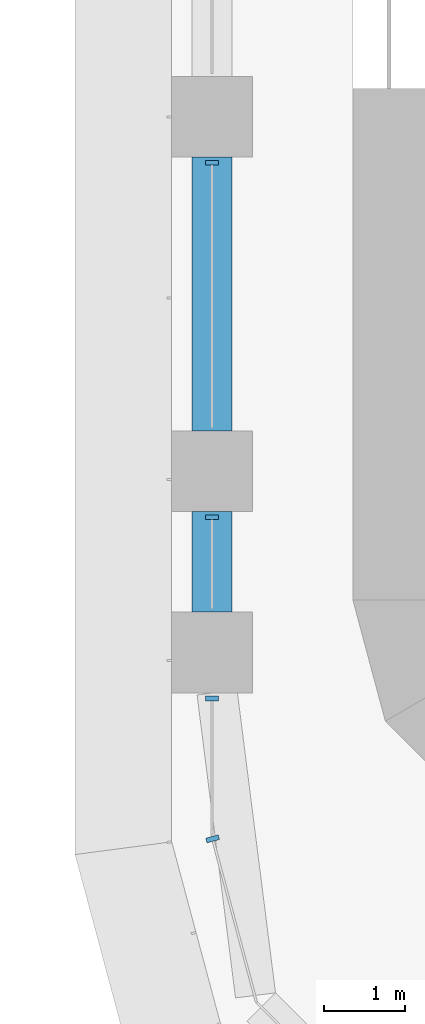
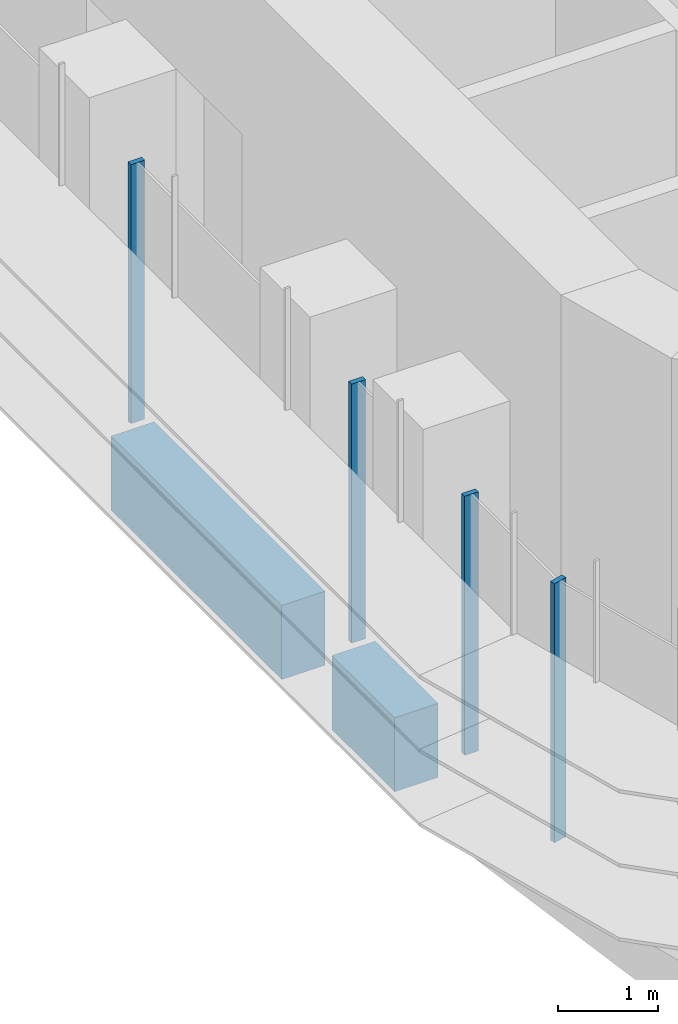
# One storey, part 2 of 23: 4 members, 2 beams, 2 elements without a shape of their own.
"""IFC4 building model written with IfcOpenShell, lengths in metres."""

import ifcopenshell
import ifcopenshell.guid

model = None  # the IFC model being written
_history = None  # IfcOwnerHistory: only IFC2X3 demands one
_inside = {}  # id of a spatial element -> (the spatial element, [elements in it])
_under = {}  # id of a project, library or spatial element -> (it, [spatial elements below it])
_declared = {}  # id of a project -> (the project, [libraries it declares])
_typed = {}  # id of a type object -> (the type object, [elements of that type])
_made_of = {}  # id of a material, layer set ... -> (it, [elements and type objects made of it])


def new_model(schema):
    """Start an empty IFC model of exactly this schema.

    Asked for "IFC4X3", IfcOpenShell would pick the latest addendum, in which some entities
    have other attributes; the version numbers below select the first issue.
    IFC2X3 requires an IfcOwnerHistory on every rooted entity: one is made here for all.
    """
    global model, _history
    if schema == "IFC4X3":
        model = ifcopenshell.file(schema_version=(4, 3, 0, 0))
    else:
        model = ifcopenshell.file(schema=schema)
    _inside.clear()
    _under.clear()
    _declared.clear()
    _typed.clear()
    _made_of.clear()
    _history = None
    if model.schema == "IFC2X3":
        org = make("IfcOrganization", Name="unknown")
        user = make(
            "IfcPersonAndOrganization",
            ThePerson=make("IfcPerson", FamilyName="unknown"),
            TheOrganization=org,
        )
        app = make(
            "IfcApplication",
            ApplicationDeveloper=org,
            Version="unknown",
            ApplicationFullName="unknown",
            ApplicationIdentifier="unknown",
        )
        _history = make(
            "IfcOwnerHistory",
            OwningUser=user,
            OwningApplication=app,
            ChangeAction="ADDED",
            CreationDate=0,
        )
    return model


def make(cls, **values):
    """One entity of the class cls with the attributes given. An attribute that is None is left unset."""
    return model.create_entity(
        cls, **{name: value for name, value in values.items() if value is not None}
    )


def rooted(cls, **values):
    """An entity with a GlobalId (a new one), such as an element, a storey or a relation."""
    return make(cls, GlobalId=ifcopenshell.guid.new(), OwnerHistory=_history, **values)


def si_unit(unit_type, name, prefix=None):
    """IfcSIUnit, for example si_unit("LENGTHUNIT", "METRE", prefix="MILLI")."""
    return make("IfcSIUnit", UnitType=unit_type, Prefix=prefix, Name=name)


def assignment(units):
    """IfcUnitAssignment: the units of a project."""
    return None if units is None else make("IfcUnitAssignment", Units=units)


def point(xyz):
    """IfcCartesianPoint."""
    return None if xyz is None else make("IfcCartesianPoint", Coordinates=xyz)


def direction(xyz):
    """IfcDirection."""
    return None if xyz is None else make("IfcDirection", DirectionRatios=xyz)


def frame(location, z_axis=None, x_axis=None):
    """IfcAxis2Placement3D, a coordinate frame: its origin and axes. An axis left out is left unset."""
    return make(
        "IfcAxis2Placement3D",
        Location=point(location),
        Axis=direction(z_axis),
        RefDirection=direction(x_axis),
    )


def frame_2d(location, x_axis=None):
    """IfcAxis2Placement2D, a coordinate frame in the plane: its origin and x axis."""
    return make(
        "IfcAxis2Placement2D", Location=point(location), RefDirection=direction(x_axis)
    )


def origin():
    """The frame at (0, 0, 0) with its axes left unset."""
    return frame((0.0, 0.0, 0.0))


def origin_2d():
    """The frame at (0, 0) in the plane with its x axis left unset."""
    return frame_2d((0.0, 0.0))


def place(relative_to, where):
    """IfcLocalPlacement: puts the frame where relative to a parent placement (None: the world)."""
    return make(
        "IfcLocalPlacement", PlacementRelTo=relative_to, RelativePlacement=where
    )


def context(
    kind, dimensions, precision=None, world=None, true_north=None, identifier=None
):
    """IfcGeometricRepresentationContext, for example the 3D "Model" context."""
    return make(
        "IfcGeometricRepresentationContext",
        ContextIdentifier=identifier,
        ContextType=kind,
        CoordinateSpaceDimension=dimensions,
        Precision=precision,
        WorldCoordinateSystem=world,
        TrueNorth=true_north,
    )


def subcontext(parent, identifier, kind, view, scale=None):
    """IfcGeometricRepresentationSubContext, for example "Body" below "Model"."""
    return make(
        "IfcGeometricRepresentationSubContext",
        ContextIdentifier=identifier,
        ContextType=kind,
        ParentContext=parent,
        TargetScale=scale,
        TargetView=view,
    )


def project(units=None, contexts=None):
    """IfcProject with its units and contexts."""
    return rooted(
        "IfcProject",
        Name="project",
        RepresentationContexts=contexts,
        UnitsInContext=assignment(units),
    )


def spatial(cls, under=None, at=None, **own):
    """A site, building, storey or space (cls), placed at a placement, below another one or the project."""
    s = rooted(cls, ObjectPlacement=at, **own)
    if under is not None:
        _under.setdefault(under.id(), (under, []))[1].append(s)
    return s


def polyline(points):
    """IfcPolyline through the points."""
    return make("IfcPolyline", Points=[point(p) for p in points])


def profile(cls, at=None, kind="AREA", **sizes):
    """A parametric profile (cls). Its sizes go by their IFC names, for example OverallWidth=200.0."""
    return make(cls, ProfileType=kind, Position=at, **sizes)


def rectangle(**sizes):
    """IfcRectangleProfileDef."""
    return profile("IfcRectangleProfileDef", **sizes)


def outline(outer, holes=None, kind="AREA"):
    """IfcArbitraryClosedProfileDef: a profile drawn as a closed curve; with holes, ...WithVoids."""
    if holes is None:
        return make("IfcArbitraryClosedProfileDef", ProfileType=kind, OuterCurve=outer)
    return make(
        "IfcArbitraryProfileDefWithVoids",
        ProfileType=kind,
        OuterCurve=outer,
        InnerCurves=holes,
    )


def extrude(swept, where, along, depth):
    """IfcExtrudedAreaSolid: the profile swept, set in the frame where, extruded along a direction by depth."""
    return make(
        "IfcExtrudedAreaSolid",
        SweptArea=swept,
        Position=where,
        ExtrudedDirection=direction(along),
        Depth=depth,
    )


def shape(context_of_items, identifier, shape_type, items):
    """IfcShapeRepresentation: the items that make up one representation, for example the "Body"."""
    return make(
        "IfcShapeRepresentation",
        ContextOfItems=context_of_items,
        RepresentationIdentifier=identifier,
        RepresentationType=shape_type,
        Items=items,
    )


def source(mapping_origin, context_of_items, identifier, shape_type, items):
    """IfcRepresentationMap: a shape defined once, which mapped items show again and again."""
    return make(
        "IfcRepresentationMap",
        MappingOrigin=mapping_origin,
        MappedRepresentation=shape(context_of_items, identifier, shape_type, items),
    )


def transform(
    local_origin,
    x_axis=None,
    y_axis=None,
    z_axis=None,
    scale=None,
    scale2=None,
    scale3=None,
    uniform=True,
):
    """IfcCartesianTransformationOperator3D, or its non-uniform kind. x_axis, y_axis, z_axis: its Axis1, 2, 3."""
    if uniform:
        return make(
            "IfcCartesianTransformationOperator3D",
            Axis1=direction(x_axis),
            Axis2=direction(y_axis),
            LocalOrigin=point(local_origin),
            Scale=scale,
            Axis3=direction(z_axis),
        )
    return make(
        "IfcCartesianTransformationOperator3DnonUniform",
        Axis1=direction(x_axis),
        Axis2=direction(y_axis),
        LocalOrigin=point(local_origin),
        Scale=scale,
        Axis3=direction(z_axis),
        Scale2=scale2,
        Scale3=scale3,
    )


def mapped(mapping_source, mapping_target):
    """IfcMappedItem: shows the shape of a source again, moved by a transform."""
    return make(
        "IfcMappedItem", MappingSource=mapping_source, MappingTarget=mapping_target
    )


def material(Name=None, Category=None):
    """IfcMaterial."""
    return make("IfcMaterial", Name=Name, Category=Category)


def material_profile(
    of_material, cross_section, Name=None, Category=None, Priority=None
):
    """IfcMaterialProfile: a cross section and its material."""
    return make(
        "IfcMaterialProfile",
        Name=Name,
        Material=of_material,
        Profile=cross_section,
        Priority=Priority,
        Category=Category,
    )


def profile_set(profiles, Name=None, composite=None):
    """IfcMaterialProfileSet."""
    return make(
        "IfcMaterialProfileSet",
        Name=Name,
        MaterialProfiles=profiles,
        CompositeProfile=composite,
    )


def made_of(thing, what):
    """Note that an element or type object is made of a material, layer set ...; save() writes the relation."""
    if what is not None:
        _made_of.setdefault(what.id(), (what, []))[1].append(thing)
    return thing


def type_object(cls, material=None, **own):
    """A type object (cls), such as IfcWallType, which elements share."""
    return made_of(rooted(cls, **own), material)


def element(
    cls,
    number,
    at=None,
    inside=None,
    cuts=None,
    type_object=None,
    material=None,
    context=None,
    identifier="Body",
    shape_type=None,
    held_by="IfcProductDefinitionShape",
    body=None,
    shapes=None,
    **own,
):
    """One element of the class cls, such as IfcWall. Its Tag is "e" and its number.

    at: its placement. inside: the storey or other place that contains it. cuts: it is an
    opening in that element (IfcRelVoidsElement). A single representation is given by context,
    identifier, shape_type and body (its items); several are given by shapes. held_by: the class
    of the entity that holds the representations. save() writes the other relations.
    """
    e = rooted(cls, Tag="e%d" % number, ObjectPlacement=at, **own)
    if body is not None:
        shapes = [shape(context, identifier, shape_type, body)]
    if shapes is not None:
        e.Representation = make(held_by, Representations=shapes)
    if inside is not None:
        _inside.setdefault(inside.id(), (inside, []))[1].append(e)
    if cuts is not None:
        rooted(
            "IfcRelVoidsElement", RelatingBuildingElement=cuts, RelatedOpeningElement=e
        )
    if type_object is not None:
        _typed.setdefault(type_object.id(), (type_object, []))[1].append(e)
    return made_of(e, material)


def aggregate(whole, parts):
    """IfcRelAggregates: a whole, such as a stair, and the parts it consists of."""
    return rooted("IfcRelAggregates", RelatingObject=whole, RelatedObjects=parts)


def save(model, path):
    """Write the relations noted so far, then the file.

    IfcRelAggregates (storeys below a building ...), IfcRelContainedInSpatialStructure (elements
    in a storey), IfcRelDefinesByType, IfcRelAssociatesMaterial and IfcRelDeclares: one each for
    every whole, place, type object, material and project.
    """
    for whole, parts in _under.values():
        aggregate(whole, parts)
    for where, things in _inside.values():
        rooted(
            "IfcRelContainedInSpatialStructure",
            RelatedElements=things,
            RelatingStructure=where,
        )
    for kind, things in _typed.values():
        rooted("IfcRelDefinesByType", RelatedObjects=things, RelatingType=kind)
    for what, things in _made_of.values():
        rooted("IfcRelAssociatesMaterial", RelatedObjects=things, RelatingMaterial=what)
    for by, libraries in _declared.values():
        rooted("IfcRelDeclares", RelatingContext=by, RelatedDefinitions=libraries)
    model.write(path)


model = new_model("IFC4")

# Units and contexts
model_context = context("Model", 3, precision=1e-05, world=origin(), true_north=direction((0.0, 1.0)))
body_context = subcontext(model_context, "Body", "Model", "MODEL_VIEW")
ifc_project = project(units=[si_unit("LENGTHUNIT", "METRE"), si_unit("AREAUNIT", "SQUARE_METRE"), si_unit("VOLUMEUNIT", "CUBIC_METRE"), si_unit("PLANEANGLEUNIT", "RADIAN"), si_unit("MASSUNIT", "GRAM", prefix="KILO")], contexts=[model_context])

# Site, building, storey
site_placement = place(None, origin())
site = spatial("IfcSite", under=ifc_project, at=site_placement, CompositionType="ELEMENT")
building_placement = place(site_placement, origin())
building = spatial("IfcBuilding", under=site, at=building_placement, Name="Zarbagh Exchange Tower", CompositionType="ELEMENT")
storey_placement = place(building_placement, frame((0.0, 0.0, 48.0)))
storey = spatial("IfcBuildingStorey", under=building, at=storey_placement, Name="L10", CompositionType="ELEMENT", Elevation=48.0)

# Beams
ifc_material_1 = material(Name="Concrete C60/75", Category="concrete")
ifc_material_profile = material_profile(ifc_material_1, rectangle(XDim=0.5, YDim=0.89990234375, at=origin_2d()), Name="RC spandrel beam 500 x 900 C60/75")
ifc_profile_set = profile_set([ifc_material_profile], Name="Concrete C60/75")
beam_type = type_object("IfcBeamType", Name="RC spandrel beam 500 x 900 C60/75", PredefinedType="SPANDREL", material=ifc_profile_set)
beam_1_placement = place(storey_placement, frame((-6.25, -26.39990234375, -0.60009765625), z_axis=(0.0, 1.0, 0.0), x_axis=(-1.0, 0.0, 0.0)))
element("IfcBeam", 1, at=beam_1_placement, inside=storey, type_object=beam_type, Name="RC spandrel beam", PredefinedType="SPANDREL", context=body_context, shape_type="SweptSolid", body=[
    extrude(rectangle(XDim=0.5, YDim=0.89990234375, at=origin_2d()), origin(), (0.0, 0.0, 1.0), 1.25),
])
beam_2_placement = place(storey_placement, frame((-6.25, -24.14990234375, -0.60009765625), z_axis=(0.0, 1.0, 0.0), x_axis=(-1.0, 0.0, 0.0)))
element("IfcBeam", 2, at=beam_2_placement, inside=storey, type_object=beam_type, Name="RC spandrel beam", PredefinedType="SPANDREL", context=body_context, shape_type="SweptSolid", body=[
    extrude(rectangle(XDim=0.5, YDim=0.89990234375, at=origin_2d()), origin(), (0.0, 0.0, 1.0), 3.39990234375),
])

# Curtain wall, members
ifc_material_2 = material(Name="Anodised aluminium frame and glazing", Category="aluminium")
curtain_wall_type = type_object("IfcCurtainWallType", Name="CWA Ribbon glazing, lower zones", PredefinedType="NOTDEFINED", material=ifc_material_2)
curtain_wall_1_placement = place(storey_placement, origin())
curtain_wall_1 = element("IfcCurtainWall", 3, at=curtain_wall_1_placement, inside=storey, type_object=curtain_wall_type, Name="CWA44 curtain wall", PredefinedType="NOTDEFINED")
ifc_material_3 = material(Name="Anodised aluminium frame", Category="aluminium")
member_type = type_object("IfcMemberType", Name="MUA Mullion, anodised aluminium frame", PredefinedType="MULLION", material=ifc_material_3)
shared_shape = source(origin(), body_context, "Body", "SweptSolid", [
    extrude(outline(polyline([(0.0, -0.080078125), (0.06005859375, -0.080078125), (0.06005859375, 0.080078125), (0.0, 0.080078125), (0.0, -0.080078125)])), origin(), (0.0, 0.0, 1.0), 3.14990234375),
])
placement = place(storey_placement, origin())
member_1 = element("IfcMember", 4, at=placement, type_object=member_type, Name="CWA44 mullion 3.1", PredefinedType="MULLION", context=body_context, shape_type="MappedRepresentation", body=[
    mapped(shared_shape, transform((-6.25, -20.7900390625, 0.0), x_axis=(0.0, -1.0, 0.0), y_axis=(1.0, 0.0, 0.0), z_axis=(0.0, 0.0, 1.0))),
])
member_2 = element("IfcMember", 5, at=placement, type_object=member_type, Name="CWA44 mullion 4.1", PredefinedType="MULLION", context=body_context, shape_type="MappedRepresentation", body=[
    mapped(shared_shape, transform((-6.25, -25.18994140625, 0.0), x_axis=(0.0, -1.0, 0.0), y_axis=(1.0, 0.0, 0.0), z_axis=(0.0, 0.0, 1.0))),
])
member_3 = element("IfcMember", 6, at=placement, type_object=member_type, Name="CWA44 mullion 5.1", PredefinedType="MULLION", context=body_context, shape_type="MappedRepresentation", body=[
    mapped(shared_shape, transform((-6.25, -27.43994140625, 0.0), x_axis=(0.0, -1.0, 0.0), y_axis=(1.0, 0.0, 0.0), z_axis=(0.0, 0.0, 1.0))),
])
aggregate(curtain_wall_1, [member_1, member_2, member_3])

# Curtain wall, member
curtain_wall_2_placement = place(storey_placement, origin())
curtain_wall_2 = element("IfcCurtainWall", 7, at=curtain_wall_2_placement, inside=storey, type_object=curtain_wall_type, Name="CWA45 curtain wall", PredefinedType="NOTDEFINED")
member_4 = element("IfcMember", 8, at=placement, type_object=member_type, Name="CWA45 mullion 1.1", PredefinedType="MULLION", context=body_context, shape_type="MappedRepresentation", body=[
    mapped(shared_shape, transform((-6.25, -29.18408203125, 0.0), x_axis=(0.258824779902, -0.965924289636, 0.0), y_axis=(0.965924289636, 0.258824779902, 0.0), z_axis=(0.0, 0.0, 1.0))),
])
aggregate(curtain_wall_2, [member_4])

save(model, "model.ifc")
